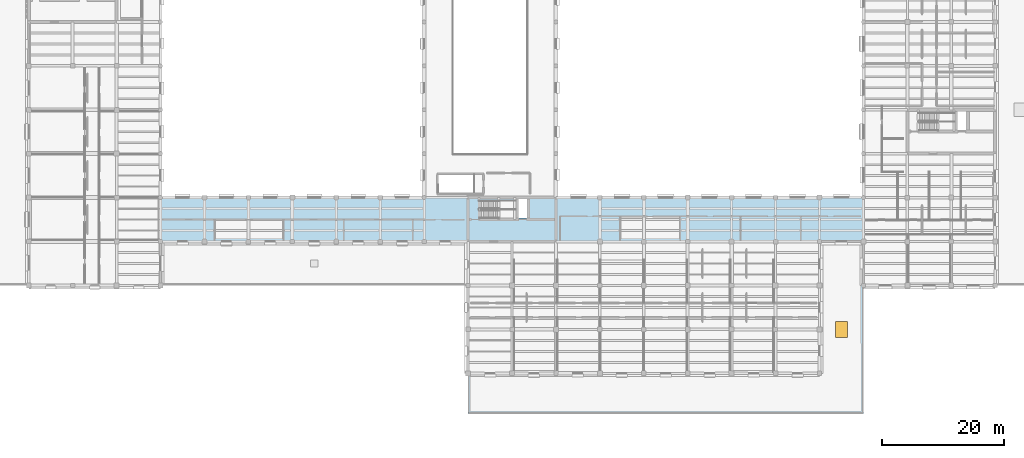
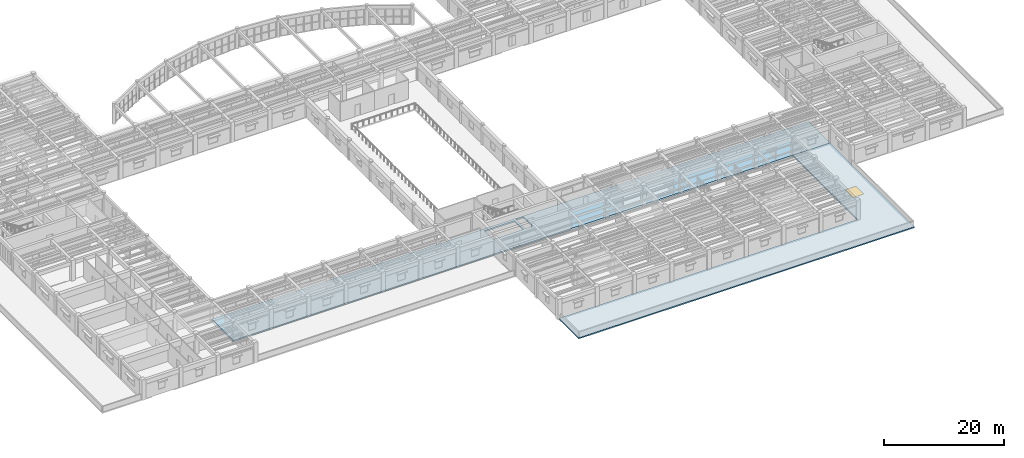
# One storey, part 36 of 76: 2 slabs, 1 window, 1 opening.
"""IFC4 building model written with IfcOpenShell, lengths in metres."""

import ifcopenshell
import ifcopenshell.guid

model = None  # the IFC model being written
_history = None  # IfcOwnerHistory: only IFC2X3 demands one
_inside = {}  # id of a spatial element -> (the spatial element, [elements in it])
_under = {}  # id of a project, library or spatial element -> (it, [spatial elements below it])
_declared = {}  # id of a project -> (the project, [libraries it declares])
_typed = {}  # id of a type object -> (the type object, [elements of that type])
_made_of = {}  # id of a material, layer set ... -> (it, [elements and type objects made of it])


def new_model(schema):
    """Start an empty IFC model of exactly this schema.

    Asked for "IFC4X3", IfcOpenShell would pick the latest addendum, in which some entities
    have other attributes; the version numbers below select the first issue.
    IFC2X3 requires an IfcOwnerHistory on every rooted entity: one is made here for all.
    """
    global model, _history
    if schema == "IFC4X3":
        model = ifcopenshell.file(schema_version=(4, 3, 0, 0))
    else:
        model = ifcopenshell.file(schema=schema)
    _inside.clear()
    _under.clear()
    _declared.clear()
    _typed.clear()
    _made_of.clear()
    _history = None
    if model.schema == "IFC2X3":
        org = make("IfcOrganization", Name="unknown")
        user = make(
            "IfcPersonAndOrganization",
            ThePerson=make("IfcPerson", FamilyName="unknown"),
            TheOrganization=org,
        )
        app = make(
            "IfcApplication",
            ApplicationDeveloper=org,
            Version="unknown",
            ApplicationFullName="unknown",
            ApplicationIdentifier="unknown",
        )
        _history = make(
            "IfcOwnerHistory",
            OwningUser=user,
            OwningApplication=app,
            ChangeAction="ADDED",
            CreationDate=0,
        )
    return model


def make(cls, **values):
    """One entity of the class cls with the attributes given. An attribute that is None is left unset."""
    return model.create_entity(
        cls, **{name: value for name, value in values.items() if value is not None}
    )


def rooted(cls, **values):
    """An entity with a GlobalId (a new one), such as an element, a storey or a relation."""
    return make(cls, GlobalId=ifcopenshell.guid.new(), OwnerHistory=_history, **values)


def si_unit(unit_type, name, prefix=None):
    """IfcSIUnit, for example si_unit("LENGTHUNIT", "METRE", prefix="MILLI")."""
    return make("IfcSIUnit", UnitType=unit_type, Prefix=prefix, Name=name)


def assignment(units):
    """IfcUnitAssignment: the units of a project."""
    return None if units is None else make("IfcUnitAssignment", Units=units)


def point(xyz):
    """IfcCartesianPoint."""
    return None if xyz is None else make("IfcCartesianPoint", Coordinates=xyz)


def direction(xyz):
    """IfcDirection."""
    return None if xyz is None else make("IfcDirection", DirectionRatios=xyz)


def frame(location, z_axis=None, x_axis=None):
    """IfcAxis2Placement3D, a coordinate frame: its origin and axes. An axis left out is left unset."""
    return make(
        "IfcAxis2Placement3D",
        Location=point(location),
        Axis=direction(z_axis),
        RefDirection=direction(x_axis),
    )


def frame_2d(location, x_axis=None):
    """IfcAxis2Placement2D, a coordinate frame in the plane: its origin and x axis."""
    return make(
        "IfcAxis2Placement2D", Location=point(location), RefDirection=direction(x_axis)
    )


def origin():
    """The frame at (0, 0, 0) with its axes left unset."""
    return frame((0.0, 0.0, 0.0))


def origin_2d():
    """The frame at (0, 0) in the plane with its x axis left unset."""
    return frame_2d((0.0, 0.0))


def place(relative_to, where):
    """IfcLocalPlacement: puts the frame where relative to a parent placement (None: the world)."""
    return make(
        "IfcLocalPlacement", PlacementRelTo=relative_to, RelativePlacement=where
    )


def context(
    kind, dimensions, precision=None, world=None, true_north=None, identifier=None
):
    """IfcGeometricRepresentationContext, for example the 3D "Model" context."""
    return make(
        "IfcGeometricRepresentationContext",
        ContextIdentifier=identifier,
        ContextType=kind,
        CoordinateSpaceDimension=dimensions,
        Precision=precision,
        WorldCoordinateSystem=world,
        TrueNorth=true_north,
    )


def subcontext(parent, identifier, kind, view, scale=None):
    """IfcGeometricRepresentationSubContext, for example "Body" below "Model"."""
    return make(
        "IfcGeometricRepresentationSubContext",
        ContextIdentifier=identifier,
        ContextType=kind,
        ParentContext=parent,
        TargetScale=scale,
        TargetView=view,
    )


def project(units=None, contexts=None):
    """IfcProject with its units and contexts."""
    return rooted(
        "IfcProject",
        Name="project",
        RepresentationContexts=contexts,
        UnitsInContext=assignment(units),
    )


def spatial(cls, under=None, at=None, **own):
    """A site, building, storey or space (cls), placed at a placement, below another one or the project."""
    s = rooted(cls, ObjectPlacement=at, **own)
    if under is not None:
        _under.setdefault(under.id(), (under, []))[1].append(s)
    return s


def polyline(points):
    """IfcPolyline through the points."""
    return make("IfcPolyline", Points=[point(p) for p in points])


def profile(cls, at=None, kind="AREA", **sizes):
    """A parametric profile (cls). Its sizes go by their IFC names, for example OverallWidth=200.0."""
    return make(cls, ProfileType=kind, Position=at, **sizes)


def rectangle(**sizes):
    """IfcRectangleProfileDef."""
    return profile("IfcRectangleProfileDef", **sizes)


def outline(outer, holes=None, kind="AREA"):
    """IfcArbitraryClosedProfileDef: a profile drawn as a closed curve; with holes, ...WithVoids."""
    if holes is None:
        return make("IfcArbitraryClosedProfileDef", ProfileType=kind, OuterCurve=outer)
    return make(
        "IfcArbitraryProfileDefWithVoids",
        ProfileType=kind,
        OuterCurve=outer,
        InnerCurves=holes,
    )


def extrude(swept, where, along, depth):
    """IfcExtrudedAreaSolid: the profile swept, set in the frame where, extruded along a direction by depth."""
    return make(
        "IfcExtrudedAreaSolid",
        SweptArea=swept,
        Position=where,
        ExtrudedDirection=direction(along),
        Depth=depth,
    )


def shape(context_of_items, identifier, shape_type, items):
    """IfcShapeRepresentation: the items that make up one representation, for example the "Body"."""
    return make(
        "IfcShapeRepresentation",
        ContextOfItems=context_of_items,
        RepresentationIdentifier=identifier,
        RepresentationType=shape_type,
        Items=items,
    )


def material(Name=None, Category=None):
    """IfcMaterial."""
    return make("IfcMaterial", Name=Name, Category=Category)


def layer(
    of_material, thickness, ventilated=None, Name=None, Category=None, Priority=None
):
    """IfcMaterialLayer: one layer of a wall or slab, of a material (None: an air gap)."""
    return make(
        "IfcMaterialLayer",
        Material=of_material,
        LayerThickness=thickness,
        IsVentilated=ventilated,
        Name=Name,
        Category=Category,
        Priority=Priority,
    )


def layer_set(layers, Name=None):
    """IfcMaterialLayerSet."""
    return make("IfcMaterialLayerSet", MaterialLayers=layers, LayerSetName=Name)


def made_of(thing, what):
    """Note that an element or type object is made of a material, layer set ...; save() writes the relation."""
    if what is not None:
        _made_of.setdefault(what.id(), (what, []))[1].append(thing)
    return thing


def type_object(cls, material=None, **own):
    """A type object (cls), such as IfcWallType, which elements share."""
    return made_of(rooted(cls, **own), material)


def element(
    cls,
    number,
    at=None,
    inside=None,
    cuts=None,
    type_object=None,
    material=None,
    context=None,
    identifier="Body",
    shape_type=None,
    held_by="IfcProductDefinitionShape",
    body=None,
    shapes=None,
    **own,
):
    """One element of the class cls, such as IfcWall. Its Tag is "e" and its number.

    at: its placement. inside: the storey or other place that contains it. cuts: it is an
    opening in that element (IfcRelVoidsElement). A single representation is given by context,
    identifier, shape_type and body (its items); several are given by shapes. held_by: the class
    of the entity that holds the representations. save() writes the other relations.
    """
    e = rooted(cls, Tag="e%d" % number, ObjectPlacement=at, **own)
    if body is not None:
        shapes = [shape(context, identifier, shape_type, body)]
    if shapes is not None:
        e.Representation = make(held_by, Representations=shapes)
    if inside is not None:
        _inside.setdefault(inside.id(), (inside, []))[1].append(e)
    if cuts is not None:
        rooted(
            "IfcRelVoidsElement", RelatingBuildingElement=cuts, RelatedOpeningElement=e
        )
    if type_object is not None:
        _typed.setdefault(type_object.id(), (type_object, []))[1].append(e)
    return made_of(e, material)


def fill(opening, filler):
    """IfcRelFillsElement: the door or window that sits in an opening."""
    return rooted(
        "IfcRelFillsElement",
        RelatingOpeningElement=opening,
        RelatedBuildingElement=filler,
    )


def aggregate(whole, parts):
    """IfcRelAggregates: a whole, such as a stair, and the parts it consists of."""
    return rooted("IfcRelAggregates", RelatingObject=whole, RelatedObjects=parts)


def save(model, path):
    """Write the relations noted so far, then the file.

    IfcRelAggregates (storeys below a building ...), IfcRelContainedInSpatialStructure (elements
    in a storey), IfcRelDefinesByType, IfcRelAssociatesMaterial and IfcRelDeclares: one each for
    every whole, place, type object, material and project.
    """
    for whole, parts in _under.values():
        aggregate(whole, parts)
    for where, things in _inside.values():
        rooted(
            "IfcRelContainedInSpatialStructure",
            RelatedElements=things,
            RelatingStructure=where,
        )
    for kind, things in _typed.values():
        rooted("IfcRelDefinesByType", RelatedObjects=things, RelatingType=kind)
    for what, things in _made_of.values():
        rooted("IfcRelAssociatesMaterial", RelatedObjects=things, RelatingMaterial=what)
    for by, libraries in _declared.values():
        rooted("IfcRelDeclares", RelatingContext=by, RelatedDefinitions=libraries)
    model.write(path)


model = new_model("IFC4")

# Units and contexts
model_context = context("Model", 3, precision=1e-05, world=origin(), true_north=direction((0.0, 1.0)))
body_context = subcontext(model_context, "Body", "Model", "MODEL_VIEW")
ifc_project = project(units=[si_unit("LENGTHUNIT", "METRE"), si_unit("AREAUNIT", "SQUARE_METRE"), si_unit("VOLUMEUNIT", "CUBIC_METRE"), si_unit("PLANEANGLEUNIT", "RADIAN"), si_unit("MASSUNIT", "GRAM", prefix="KILO")], contexts=[model_context])

# Site, building, storey
site_placement = place(None, origin())
site = spatial("IfcSite", under=ifc_project, at=site_placement, CompositionType="ELEMENT")
building_placement = place(site_placement, origin())
building = spatial("IfcBuilding", under=site, at=building_placement, Name="Mithqara Police Headquarters", CompositionType="ELEMENT")
storey_placement = place(building_placement, frame((0.0, 0.0, 5.39990234375)))
storey = spatial("IfcBuildingStorey", under=building, at=storey_placement, Name="L01", CompositionType="ELEMENT", Elevation=5.39990234375)

# Slab
ifc_material_1 = material(Name="Concrete C40/50", Category="concrete")
ifc_layer_1 = layer(ifc_material_1, 0.280029296875, Name="Concrete C40/50")
ifc_layer_set_1 = layer_set([ifc_layer_1], Name="Concrete C40/50")
slab_type_1 = type_object("IfcSlabType", Name="FLOOR SLAB 280", PredefinedType="FLOOR", material=ifc_layer_set_1)
slab_1_placement = place(storey_placement, frame((0.0, 0.0, -0.27978515625)))
element("IfcSlab", 1, at=slab_1_placement, inside=storey, type_object=slab_type_1, Name="L01 Structural Slab L01-V5S", PredefinedType="FLOOR", context=body_context, shape_type="SweptSolid", body=[
    extrude(outline(polyline([(144.60009765625, 35.39990234375), (144.60009765625, 28.199951171875), (29.39990234375, 28.199951171875), (29.39990234375, 35.39990234375), (72.60009765625, 35.39990234375), (74.39990234375, 35.39990234375), (78.60009765625, 35.39990234375), (94.199951171875, 35.39990234375), (144.60009765625, 35.39990234375)]), holes=[polyline([(81.75, 32.0), (87.60009765625, 32.0), (87.60009765625, 34.89990234375), (81.75, 34.89990234375), (81.75, 32.0)]), polyline([(89.449951171875, 32.070068359375), (89.449951171875, 35.14990234375), (88.030029296875, 35.14990234375), (88.030029296875, 32.070068359375), (89.449951171875, 32.070068359375)])]), origin(), (0.0, 0.0, 1.0), 0.27978515625),
])

# Slab, opening, window
ifc_layer_2 = layer(ifc_material_1, 0.25, Name="Concrete C40/50")
ifc_layer_set_2 = layer_set([ifc_layer_2], Name="Concrete C40/50")
slab_type_2 = type_object("IfcSlabType", Name="ROOF SLAB 250", PredefinedType="ROOF", material=ifc_layer_set_2)
slab_2_placement = place(storey_placement, frame((0.0, 0.0, -0.25)))
slab_2 = element("IfcSlab", 2, at=slab_2_placement, inside=storey, type_object=slab_type_2, Name="L01 Flat Insulated Roof over L00 Wing 4", PredefinedType="ROOF", context=body_context, shape_type="SweptSolid", body=[
    extrude(outline(polyline([(144.60009765625, 0.0), (79.800048828125, 0.0), (79.800048828125, 6.580078125), (81.60009765625, 6.580078125), (81.60205078125, 6.580078125), (81.60400390625, 6.580322265625), (81.605712890625, 6.580810546875), (81.607666015625, 6.58154296875), (81.609375, 6.58251953125), (81.611083984375, 6.58349609375), (81.61279296875, 6.58447265625), (81.614013671875, 6.5859375), (81.615478515625, 6.58740234375), (81.61669921875, 6.5888671875), (81.61767578125, 6.590576171875), (81.618408203125, 6.59228515625), (81.619140625, 6.59423828125), (81.61962890625, 6.59619140625), (81.619873046875, 6.597900390625), (81.6201171875, 6.60009765625), (85.780029296875, 6.60009765625), (85.780029296875, 6.597900390625), (85.780517578125, 6.59619140625), (85.781005859375, 6.59423828125), (85.781494140625, 6.59228515625), (85.782470703125, 6.590576171875), (85.783447265625, 6.5888671875), (85.784423828125, 6.58740234375), (85.785888671875, 6.5859375), (85.787353515625, 6.58447265625), (85.788818359375, 6.58349609375), (85.79052734375, 6.58251953125), (85.792236328125, 6.58154296875), (85.794189453125, 6.580810546875), (85.796142578125, 6.580322265625), (85.798095703125, 6.580078125), (85.800048828125, 6.580078125), (137.39990234375, 6.580078125), (137.402099609375, 6.580078125), (137.40380859375, 6.580322265625), (137.40576171875, 6.580810546875), (137.40771484375, 6.58154296875), (137.409423828125, 6.58251953125), (137.4111328125, 6.58349609375), (137.41259765625, 6.58447265625), (137.4140625, 6.5859375), (137.41552734375, 6.58740234375), (137.41650390625, 6.5888671875), (137.41748046875, 6.590576171875), (137.41845703125, 6.59228515625), (137.419189453125, 6.59423828125), (137.419677734375, 6.59619140625), (137.419921875, 6.597900390625), (137.419921875, 6.60009765625), (137.419921875, 28.179931640625), (144.580078125, 28.179931640625), (144.580078125, 21.0), (144.580078125, 20.998046875), (144.580322265625, 20.99609375), (144.580810546875, 20.994140625), (144.58154296875, 20.9921875), (144.58251953125, 20.990478515625), (144.58349609375, 20.989013671875), (144.58447265625, 20.9873046875), (144.5859375, 20.98583984375), (144.58740234375, 20.984619140625), (144.5888671875, 20.9833984375), (144.590576171875, 20.982421875), (144.59228515625, 20.9814453125), (144.59423828125, 20.98095703125), (144.59619140625, 20.98046875), (144.597900390625, 20.97998046875), (144.60009765625, 20.97998046875), (144.60009765625, 0.0)]), holes=[polyline([(140.010009765625, 12.489990234375), (142.010009765625, 12.489990234375), (142.010009765625, 15.090087890625), (140.010009765625, 15.090087890625), (140.010009765625, 12.489990234375)])]), origin(), (0.0, 0.0, 1.0), 0.25),
])
opening_placement = place(slab_2_placement, frame((141.010009765625, 13.7900390625, -0.010009765625)))
opening = element("IfcOpeningElement", 3, at=opening_placement, cuts=slab_2, Name="Opening SK-04", PredefinedType="OPENING", context=body_context, shape_type="SweptSolid", body=[
    extrude(rectangle(XDim=2.0, YDim=2.60009765625, at=origin_2d()), origin(), (0.0, 0.0, 1.0), 0.27001953125),
])
ifc_material_2 = material(Name="Spectrally selective double low-e glass", Category="glass")
window_type = type_object("IfcWindowType", Name="SKYLIGHT 2000X2600", PartitioningType="SINGLE_PANEL", PredefinedType="SKYLIGHT", material=ifc_material_2)
window_placement = place(opening_placement, frame((0.0, 0.0, 0.2099609375)))
window = element("IfcWindow", 4, at=window_placement, inside=storey, type_object=window_type, Name="L01 Roof Daylight Skylight and Access Hatch 4", OverallHeight=2.60009765625, OverallWidth=2.0, PartitioningType="SINGLE_PANEL", PredefinedType="SKYLIGHT", context=body_context, shape_type="SweptSolid", body=[
    extrude(rectangle(XDim=2.0, YDim=2.60009765625, at=origin_2d()), origin(), (0.0, 0.0, 1.0), 0.050048828125),
])
fill(opening, window)

save(model, "model.ifc")
